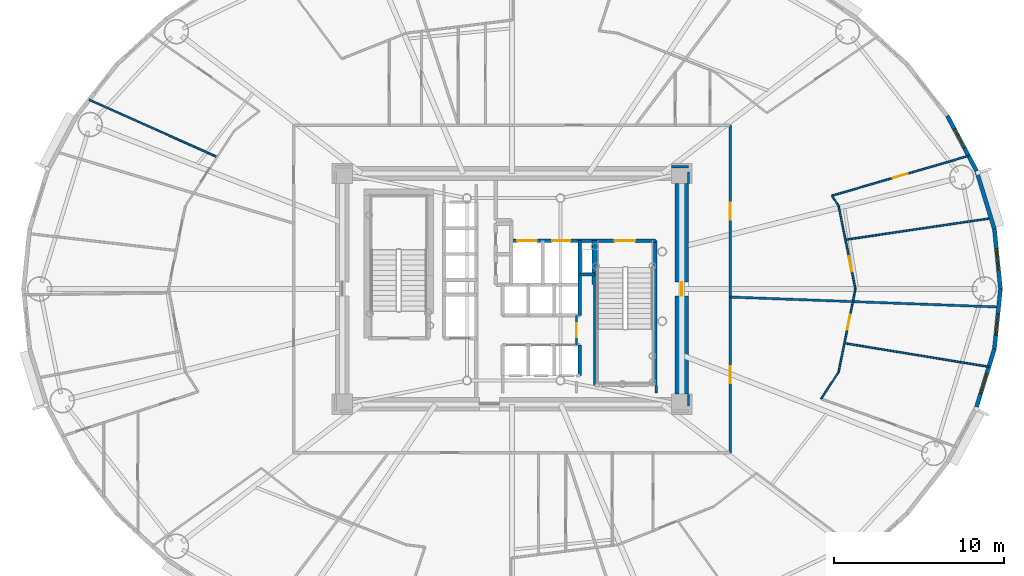
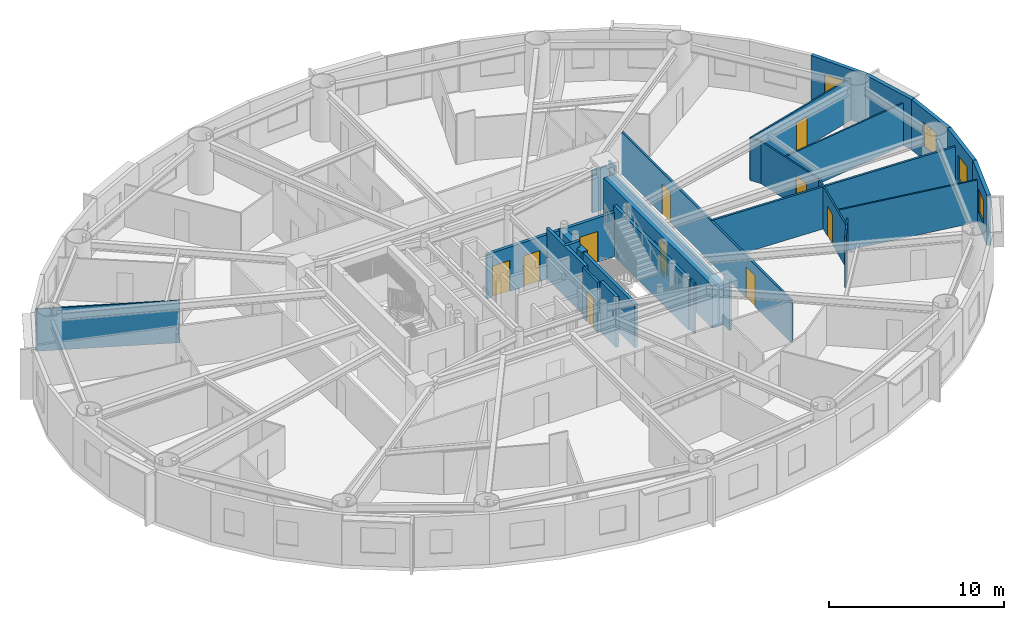
# One storey, part 9 of 16: 28 walls, 10 doors, 4 windows, 14 openings.
"""IFC4 building model written with IfcOpenShell, lengths in metres."""

from ifc_helpers import new_model, si_unit, direction, frame, frame_2d, origin, origin_2d, place, context, subcontext, project, spatial, rectangle, extrude, source, transform, mapped, material, layer, layer_set, type_object, element, fill, save


model = new_model("IFC4")

# Units and contexts
model_context = context("Model", 3, precision=1e-05, world=origin(), true_north=direction((0.0, 1.0)))
body_context = subcontext(model_context, "Body", "Model", "MODEL_VIEW")
ifc_project = project(units=[si_unit("LENGTHUNIT", "METRE"), si_unit("AREAUNIT", "SQUARE_METRE"), si_unit("VOLUMEUNIT", "CUBIC_METRE"), si_unit("PLANEANGLEUNIT", "RADIAN"), si_unit("MASSUNIT", "GRAM", prefix="KILO")], contexts=[model_context])

# Site, building, storey
site_placement = place(None, origin())
site = spatial("IfcSite", under=ifc_project, at=site_placement, CompositionType="ELEMENT")
building_placement = place(site_placement, origin())
building = spatial("IfcBuilding", under=site, at=building_placement, Name="Linh Dai School and Residence Tower", CompositionType="ELEMENT")
storey_placement = place(building_placement, frame((0.0, 0.0, 108.449951171875)))
storey = spatial("IfcBuildingStorey", under=building, at=storey_placement, Name="L25", CompositionType="ELEMENT", Elevation=108.449951171875)

# Wall, opening, window
ifc_material_1 = material(Name="Precast Concrete B45 (C35/45)", Category="concrete")
ifc_layer_1 = layer(ifc_material_1, 0.239990234375)
ifc_layer_set_1 = layer_set([ifc_layer_1], Name="Precast Concrete B45 (C35/45)")
wall_type_1 = type_object("IfcWallType", Name="EW-TC-240", PredefinedType="SOLIDWALL", material=ifc_layer_set_1)
wall_1_placement = place(storey_placement, frame((64.421630859375, 30.515380859375, 0.0), z_axis=(0.0, 0.0, 1.0), x_axis=(0.099989468229, -0.994988495533, 0.0)))
wall_1 = element("IfcWall", 1, at=wall_1_placement, inside=storey, type_object=wall_type_1, Name="L25 Terracotta Exterior Wall 01", PredefinedType="SOLIDWALL", context=body_context, shape_type="SweptSolid", body=[
    extrude(rectangle(XDim=3.533203125, YDim=0.239990234375, at=frame_2d((1.7666015625, 0.0))), origin(), (0.0, 0.0, 1.0), 3.5),
])
opening_1_placement = place(wall_1_placement, frame((1.1416015625, 0.0, 0.89990234375)))
opening_1 = element("IfcOpeningElement", 2, at=opening_1_placement, cuts=wall_1, Name="Opening W3", PredefinedType="OPENING", context=body_context, shape_type="SweptSolid", body=[
    extrude(rectangle(XDim=1.25, YDim=1.64990234375, at=origin_2d()), frame((0.625, 0.1298828125, 0.824951171875), z_axis=(0.0, -1.0, 0.0), x_axis=(1.0, 0.0, 0.0)), (0.0, 0.0, 1.0), 0.260009765625),
])
ifc_material_2 = material(Name="Double Low-E Insulated Glazing", Category="glass")
window_type = type_object("IfcWindowType", Name="WN-RES-1250x1650", PartitioningType="SINGLE_PANEL", PredefinedType="WINDOW", material=ifc_material_2)
shared_shape_1 = source(origin(), body_context, "Body", "SweptSolid", [
    extrude(rectangle(XDim=1.25, YDim=1.64990234375, at=origin_2d()), frame((0.625, 0.030029296875, 0.824951171875), z_axis=(0.0, -1.0, 0.0), x_axis=(1.0, 0.0, 0.0)), (0.0, 0.0, 1.0), 0.06005859375),
])
window_1_placement = place(opening_1_placement, origin())
window_1 = element("IfcWindow", 3, at=window_1_placement, inside=storey, type_object=window_type, Name="L25 Dwelling Window U2506-BD1", OverallHeight=1.64990234375, OverallWidth=1.25, PartitioningType="SINGLE_PANEL", PredefinedType="WINDOW", context=body_context, shape_type="MappedRepresentation", body=[
    mapped(shared_shape_1, transform((0.0, 0.0, 0.0), x_axis=(1.0, 0.0, 0.0), y_axis=(0.0, 1.0, 0.0), z_axis=(0.0, 0.0, 1.0), scale=1.0)),
])
fill(opening_1, window_1)

# Wall
wall_2_placement = place(storey_placement, frame((63.3701171875, 33.945068359375, 0.0), z_axis=(0.0, 0.0, 1.0), x_axis=(0.293124431344, -0.956074300329, 0.0)))
element("IfcWall", 4, at=wall_2_placement, inside=storey, type_object=wall_type_1, Name="L25 Terracotta Exterior Wall 02", PredefinedType="SOLIDWALL", context=body_context, shape_type="SweptSolid", body=[
    extrude(rectangle(XDim=3.587158203125, YDim=0.239990234375, at=frame_2d((1.79345703125, 0.0))), origin(), (0.0, 0.0, 1.0), 3.5),
])

# Wall, opening, window
wall_3_placement = place(storey_placement, frame((61.645263671875, 37.20556640625, 0.0), z_axis=(0.0, 0.0, 1.0), x_axis=(0.467614004126, -0.883932770716, 0.0)))
wall_3 = element("IfcWall", 5, at=wall_3_placement, inside=storey, type_object=wall_type_1, Name="L25 Terracotta Exterior Wall 03", PredefinedType="SOLIDWALL", context=body_context, shape_type="SweptSolid", body=[
    extrude(rectangle(XDim=3.688720703125, YDim=0.239990234375, at=frame_2d((1.84423828125, 0.0))), origin(), (0.0, 0.0, 1.0), 3.5),
])
opening_2_placement = place(wall_3_placement, frame((0.89599609375, 0.0, 0.89990234375)))
opening_2 = element("IfcOpeningElement", 6, at=opening_2_placement, cuts=wall_3, Name="Opening W3", PredefinedType="OPENING", context=body_context, shape_type="SweptSolid", body=[
    extrude(rectangle(XDim=1.25, YDim=1.64990234375, at=origin_2d()), frame((0.625, 0.1298828125, 0.824951171875), z_axis=(0.0, -1.0, 0.0), x_axis=(1.0, 0.0, 0.0)), (0.0, 0.0, 1.0), 0.260009765625),
])
window_2_placement = place(opening_2_placement, origin())
window_2 = element("IfcWindow", 7, at=window_2_placement, inside=storey, type_object=window_type, Name="L25 Exterior Window 03.1", OverallHeight=1.64990234375, OverallWidth=1.25, PartitioningType="SINGLE_PANEL", PredefinedType="WINDOW", context=body_context, shape_type="MappedRepresentation", body=[
    mapped(shared_shape_1, transform((0.0, 0.0, 0.0), x_axis=(1.0, 0.0, 0.0), y_axis=(0.0, 1.0, 0.0), z_axis=(0.0, 0.0, 1.0), scale=1.0)),
])
fill(opening_2, window_2)

wall_4_placement = place(storey_placement, frame((64.421630859375, 23.484619140625, 0.0), z_axis=(0.0, 0.0, 1.0), x_axis=(-0.293124431344, -0.956074300329, 0.0)))
wall_4 = element("IfcWall", 8, at=wall_4_placement, inside=storey, type_object=wall_type_1, Name="L25 Terracotta Exterior Wall 39", PredefinedType="SOLIDWALL", context=body_context, shape_type="SweptSolid", body=[
    extrude(rectangle(XDim=3.587158203125, YDim=0.239990234375, at=frame_2d((1.79345703125, 0.0))), origin(), (0.0, 0.0, 1.0), 3.5),
])
opening_3_placement = place(wall_4_placement, frame((1.54052734375, 0.0, 0.89990234375)))
opening_3 = element("IfcOpeningElement", 9, at=opening_3_placement, cuts=wall_4, Name="Opening W3", PredefinedType="OPENING", context=body_context, shape_type="SweptSolid", body=[
    extrude(rectangle(XDim=1.25, YDim=1.64990234375, at=origin_2d()), frame((0.625, 0.1298828125, 0.824951171875), z_axis=(0.0, -1.0, 0.0), x_axis=(1.0, 0.0, 0.0)), (0.0, 0.0, 1.0), 0.260009765625),
])
window_3_placement = place(opening_3_placement, origin())
window_3 = element("IfcWindow", 10, at=window_3_placement, inside=storey, type_object=window_type, Name="L25 Exterior Window 39.1", OverallHeight=1.64990234375, OverallWidth=1.25, PartitioningType="SINGLE_PANEL", PredefinedType="WINDOW", context=body_context, shape_type="MappedRepresentation", body=[
    mapped(shared_shape_1, transform((0.0, 0.0, 0.0), x_axis=(1.0, 0.0, 0.0), y_axis=(0.0, 1.0, 0.0), z_axis=(0.0, 0.0, 1.0), scale=1.0)),
])
fill(opening_3, window_3)

wall_5_placement = place(storey_placement, frame((64.77490234375, 27.0, 0.0), z_axis=(0.0, 0.0, 1.0), x_axis=(-0.099989468229, -0.994988495533, 0.0)))
wall_5 = element("IfcWall", 11, at=wall_5_placement, inside=storey, type_object=wall_type_1, Name="L25 Terracotta Exterior Wall 40", PredefinedType="SOLIDWALL", context=body_context, shape_type="SweptSolid", body=[
    extrude(rectangle(XDim=3.533203125, YDim=0.239990234375, at=frame_2d((1.7666015625, 0.0))), origin(), (0.0, 0.0, 1.0), 3.5),
])
opening_4_placement = place(wall_5_placement, frame((1.48388671875, 0.0, 0.89990234375)))
opening_4 = element("IfcOpeningElement", 12, at=opening_4_placement, cuts=wall_5, Name="Opening W3", PredefinedType="OPENING", context=body_context, shape_type="SweptSolid", body=[
    extrude(rectangle(XDim=1.25, YDim=1.64990234375, at=origin_2d()), frame((0.625, 0.1298828125, 0.824951171875), z_axis=(0.0, -1.0, 0.0), x_axis=(1.0, 0.0, 0.0)), (0.0, 0.0, 1.0), 0.260009765625),
])
window_4_placement = place(opening_4_placement, origin())
window_4 = element("IfcWindow", 13, at=window_4_placement, inside=storey, type_object=window_type, Name="L25 Exterior Window 40.1", OverallHeight=1.64990234375, OverallWidth=1.25, PartitioningType="SINGLE_PANEL", PredefinedType="WINDOW", context=body_context, shape_type="MappedRepresentation", body=[
    mapped(shared_shape_1, transform((0.0, 0.0, 0.0), x_axis=(1.0, 0.0, 0.0), y_axis=(0.0, 1.0, 0.0), z_axis=(0.0, 0.0, 1.0), scale=1.0)),
])
fill(opening_4, window_4)

# Wall, opening, door
ifc_material_3 = material(Name="Autoclaved Aerated Concrete Blockwork", Category="masonry")
ifc_layer_2 = layer(ifc_material_3, 0.135009765625)
ifc_layer_set_2 = layer_set([ifc_layer_2], Name="Autoclaved Aerated Concrete Blockwork")
wall_type_2 = type_object("IfcWallType", Name="IW-CORR-135-EI90", PredefinedType="PARTITIONING", material=ifc_layer_set_2)
wall_6_placement = place(storey_placement, frame((39.800048828125, 23.699951171875, 0.0), z_axis=(0.0, 0.0, 1.0), x_axis=(0.0, 1.0, 0.0)))
wall_6 = element("IfcWall", 14, at=wall_6_placement, inside=storey, type_object=wall_type_2, Name="L25 Interior Partition Wall 068", PredefinedType="PARTITIONING", context=body_context, shape_type="SweptSolid", body=[
    extrude(rectangle(XDim=1.75, YDim=0.135009765625, at=frame_2d((0.875, 0.0))), origin(), (0.0, 0.0, 1.0), 3.5),
])
opening_5_placement = place(wall_6_placement, frame((0.465087890625, 0.0, 0.0)))
opening_5 = element("IfcOpeningElement", 15, at=opening_5_placement, cuts=wall_6, Name="Opening D06", PredefinedType="OPENING", context=body_context, shape_type="SweptSolid", body=[
    extrude(rectangle(XDim=0.820068359375, YDim=2.10009765625, at=origin_2d()), frame((0.41015625, 0.07763671875, 1.050048828125), z_axis=(0.0, -1.0, 0.0), x_axis=(1.0, 0.0, 0.0)), (0.0, 0.0, 1.0), 0.155029296875),
])
ifc_material_4 = material(Name="Moisture-Resistant Timber Bathroom Door", Category="wood")
door_type_1 = type_object("IfcDoorType", Name="DR-WET-820x2100", OperationType="NOTDEFINED", PredefinedType="DOOR", material=ifc_material_4)
shared_shape_2 = source(origin(), body_context, "Body", "SweptSolid", [
    extrude(rectangle(XDim=0.820068359375, YDim=2.10009765625, at=origin_2d()), frame((0.41015625, 0.02490234375, 1.050048828125), z_axis=(0.0, -1.0, 0.0), x_axis=(1.0, 0.0, 0.0)), (0.0, 0.0, 1.0), 0.050048828125),
])
door_1_placement = place(opening_5_placement, origin())
door_1 = element("IfcDoor", 16, at=door_1_placement, inside=storey, type_object=door_type_1, Name="L25 Core Housekeeping Store Door", OperationType="SINGLE_SWING_RIGHT", OverallHeight=2.10009765625, OverallWidth=0.820068359375, PredefinedType="DOOR", context=body_context, shape_type="MappedRepresentation", body=[
    mapped(shared_shape_2, transform((0.0, 0.0, 0.0), x_axis=(1.0, 0.0, 0.0), y_axis=(0.0, 1.0, 0.0), z_axis=(0.0, 0.0, 1.0), scale=1.0)),
])
fill(opening_5, door_1)

# Wall, openings, doors
wall_7_placement = place(storey_placement, frame((48.85009765625, 17.35009765625, 0.0), z_axis=(0.0, 0.0, 1.0), x_axis=(0.0, 1.0, 0.0)))
wall_7 = element("IfcWall", 17, at=wall_7_placement, inside=storey, type_object=wall_type_2, Name="L25 Interior Partition Wall 087", PredefinedType="PARTITIONING", context=body_context, shape_type="SweptSolid", body=[
    extrude(rectangle(XDim=19.2998046875, YDim=0.135009765625, at=frame_2d((9.64990234375, 0.0))), origin(), (0.0, 0.0, 1.0), 2.93505859375),
])
opening_6_placement = place(wall_7_placement, frame((4.106689453125, 0.0, 0.0)))
opening_6 = element("IfcOpeningElement", 18, at=opening_6_placement, cuts=wall_7, Name="Opening D03", PredefinedType="OPENING", context=body_context, shape_type="SweptSolid", body=[
    extrude(rectangle(XDim=1.0, YDim=2.14990234375, at=origin_2d()), frame((0.5, 0.07763671875, 1.074951171875), z_axis=(0.0, -1.0, 0.0), x_axis=(1.0, 0.0, 0.0)), (0.0, 0.0, 1.0), 0.155029296875),
])
opening_7_placement = place(wall_7_placement, frame((13.716552734375, 0.0, 0.0)))
opening_7 = element("IfcOpeningElement", 19, at=opening_7_placement, cuts=wall_7, Name="Opening D03", PredefinedType="OPENING", context=body_context, shape_type="SweptSolid", body=[
    extrude(rectangle(XDim=1.0, YDim=2.14990234375, at=origin_2d()), frame((0.5, 0.07763671875, 1.074951171875), z_axis=(0.0, -1.0, 0.0), x_axis=(1.0, 0.0, 0.0)), (0.0, 0.0, 1.0), 0.155029296875),
])
ifc_material_5 = material(Name="Fire-Rated Solid Timber Entrance Door", Category="wood")
door_type_2 = type_object("IfcDoorType", Name="DR-FLAT-1000x2150-FD60S", OperationType="NOTDEFINED", PredefinedType="DOOR", material=ifc_material_5)
shared_shape_3 = source(origin(), body_context, "Body", "SweptSolid", [
    extrude(rectangle(XDim=1.0, YDim=2.14990234375, at=origin_2d()), frame((0.5, 0.02490234375, 1.074951171875), z_axis=(0.0, -1.0, 0.0), x_axis=(1.0, 0.0, 0.0)), (0.0, 0.0, 1.0), 0.050048828125),
])
door_2_placement = place(opening_6_placement, origin())
door_2 = element("IfcDoor", 20, at=door_2_placement, inside=storey, type_object=door_type_2, Name="L25 U2505 Apartment Entrance Door", OperationType="SINGLE_SWING_LEFT", OverallHeight=2.14990234375, OverallWidth=1.0, PredefinedType="DOOR", context=body_context, shape_type="MappedRepresentation", body=[
    mapped(shared_shape_3, transform((0.0, 0.0, 0.0), x_axis=(1.0, 0.0, 0.0), y_axis=(0.0, 1.0, 0.0), z_axis=(0.0, 0.0, 1.0), scale=1.0)),
])
fill(opening_6, door_2)
door_3_placement = place(opening_7_placement, origin())
door_3 = element("IfcDoor", 21, at=door_3_placement, inside=storey, type_object=door_type_2, Name="L25 U2506 Apartment Entrance Door", OperationType="SINGLE_SWING_RIGHT", OverallHeight=2.14990234375, OverallWidth=1.0, PredefinedType="DOOR", context=body_context, shape_type="MappedRepresentation", body=[
    mapped(shared_shape_3, transform((0.0, 0.0, 0.0), x_axis=(1.0, 0.0, 0.0), y_axis=(0.0, 1.0, 0.0), z_axis=(0.0, 0.0, 1.0), scale=1.0)),
])
fill(opening_7, door_3)

# Walls
wall_8_placement = place(storey_placement, frame((48.85009765625, 26.523193359375, 0.0), z_axis=(0.0, 0.0, 1.0), x_axis=(0.999312212169, -0.03708237599, 0.0)))
element("IfcWall", 22, at=wall_8_placement, inside=storey, type_object=wall_type_2, Name="L25 Interior Partition Wall 088", PredefinedType="PARTITIONING", context=body_context, shape_type="SweptSolid", body=[
    extrude(rectangle(XDim=15.833984375, YDim=0.135009765625, at=frame_2d((7.9169921875, 0.0))), origin(), (0.0, 0.0, 1.0), 2.93505859375),
])
wall_9_placement = place(storey_placement, frame((44.5, 20.860107421875, 0.0), z_axis=(0.0, 0.0, 1.0), x_axis=(0.0, 1.0, 0.0)))
element("IfcWall", 23, at=wall_9_placement, inside=storey, type_object=wall_type_2, Name="L25 Interior Partition Wall 106", PredefinedType="PARTITIONING", context=body_context, shape_type="SweptSolid", body=[
    extrude(rectangle(XDim=0.4599609375, YDim=0.135009765625, at=frame_2d((0.22998046875, 0.0))), origin(), (0.0, 0.0, 1.0), 3.5),
])
wall_10_placement = place(storey_placement, frame((46.39990234375, 34.199951171875, 0.0), z_axis=(0.0, 0.0, 1.0), x_axis=(-1.0, 0.0, 0.0)))
element("IfcWall", 24, at=wall_10_placement, inside=storey, type_object=wall_type_2, Name="L25 Interior Partition Wall 111", PredefinedType="PARTITIONING", context=body_context, shape_type="SweptSolid", body=[
    extrude(rectangle(XDim=0.989990234375, YDim=0.135009765625, at=frame_2d((0.4951171875, 0.0))), origin(), (0.0, 0.0, 1.0), 2.93505859375),
])
for number, where, z_axis, x_axis, name in (
    (25, (46.39990234375, 20.107421875, 0.0), (0.0, 0.0, 1.0), (0.0, 1.0, 0.0), "L25 Interior Partition Wall 117"),
    (26, (46.39990234375, 33.2099609375, 0.0), (0.0, 0.0, 1.0), (0.0, 1.0, 0.0), "L25 Interior Partition Wall 118"),
):
    element("IfcWall", number, at=place(storey_placement, frame(where, z_axis=z_axis, x_axis=x_axis)), inside=storey, type_object=wall_type_2, Name=name, PredefinedType="PARTITIONING", context=body_context, shape_type="SweptSolid", body=[
        extrude(rectangle(XDim=0.6826171875, YDim=0.135009765625, at=frame_2d((0.34130859375, 0.0))), origin(), (0.0, 0.0, 1.0), 3.5),
    ])

# Wall, openings, doors
ifc_material_6 = material(Name="Concrete B45 (C35/45)", Category="concrete")
ifc_layer_3 = layer(ifc_material_6, 0.199951171875)
ifc_layer_set_3 = layer_set([ifc_layer_3], Name="Concrete B45 (C35/45)")
wall_type_3 = type_object("IfcWallType", Name="IW-SHAFT-200-EI120", PredefinedType="PARTITIONING", material=ifc_layer_set_3)
wall_11_placement = place(storey_placement, frame((35.949951171875, 29.85009765625, 0.0), z_axis=(0.0, 0.0, 1.0), x_axis=(1.0, 0.0, 0.0)))
wall_11 = element("IfcWall", 27, at=wall_11_placement, inside=storey, type_object=wall_type_3, Name="L25 Interior Partition Wall 054", PredefinedType="PARTITIONING", context=body_context, shape_type="SweptSolid", body=[
    extrude(rectangle(XDim=8.489990234375, YDim=0.199951171875, at=frame_2d((4.2451171875, 0.0))), origin(), (0.0, 0.0, 1.0), 3.0849609375),
])
opening_8_placement = place(wall_11_placement, frame((6.10009765625, 0.0, 0.0)))
opening_8 = element("IfcOpeningElement", 28, at=opening_8_placement, cuts=wall_11, Name="Opening D01", PredefinedType="OPENING", context=body_context, shape_type="SweptSolid", body=[
    extrude(rectangle(XDim=1.199951171875, YDim=2.14990234375, at=origin_2d()), frame((0.60009765625, 0.10986328125, 1.074951171875), z_axis=(0.0, -1.0, 0.0), x_axis=(1.0, 0.0, 0.0)), (0.0, 0.0, 1.0), 0.219970703125),
])
opening_9_placement = place(wall_11_placement, frame((0.3701171875, 0.0, 0.0)))
opening_9 = element("IfcOpeningElement", 29, at=opening_9_placement, cuts=wall_11, Name="Opening LD-FF1", PredefinedType="OPENING", context=body_context, shape_type="SweptSolid", body=[
    extrude(rectangle(XDim=1.14990234375, YDim=2.14990234375, at=origin_2d()), frame((0.574951171875, 0.10986328125, 1.074951171875), z_axis=(0.0, -1.0, 0.0), x_axis=(1.0, 0.0, 0.0)), (0.0, 0.0, 1.0), 0.219970703125),
])
opening_10_placement = place(wall_11_placement, frame((2.425048828125, 0.0, 0.0)))
opening_10 = element("IfcOpeningElement", 30, at=opening_10_placement, cuts=wall_11, Name="Opening LD-SV1", PredefinedType="OPENING", context=body_context, shape_type="SweptSolid", body=[
    extrude(rectangle(XDim=1.050048828125, YDim=2.14990234375, at=origin_2d()), frame((0.52490234375, 0.10986328125, 1.074951171875), z_axis=(0.0, -1.0, 0.0), x_axis=(1.0, 0.0, 0.0)), (0.0, 0.0, 1.0), 0.219970703125),
])
ifc_material_7 = material(Name="Fire-Rated Steel Door Leaf", Category="steel")
door_type_3 = type_object("IfcDoorType", Name="DR-STAIR-1200x2150-FD90S", OperationType="NOTDEFINED", PredefinedType="DOOR", material=ifc_material_7)
shared_shape_4 = source(origin(), body_context, "Body", "SweptSolid", [
    extrude(rectangle(XDim=1.199951171875, YDim=2.14990234375, at=origin_2d()), frame((0.60009765625, 0.02490234375, 1.074951171875), z_axis=(0.0, -1.0, 0.0), x_axis=(1.0, 0.0, 0.0)), (0.0, 0.0, 1.0), 0.050048828125),
])
door_4_placement = place(opening_8_placement, origin())
door_4 = element("IfcDoor", 31, at=door_4_placement, inside=storey, type_object=door_type_3, Name="L25 Core Smokeproof Exit Stair ST2 Door", OperationType="SINGLE_SWING_RIGHT", OverallHeight=2.14990234375, OverallWidth=1.199951171875, PredefinedType="DOOR", context=body_context, shape_type="MappedRepresentation", body=[
    mapped(shared_shape_4, transform((0.0, 0.0, 0.0), x_axis=(1.0, 0.0, 0.0), y_axis=(0.0, 1.0, 0.0), z_axis=(0.0, 0.0, 1.0), scale=1.0)),
])
fill(opening_8, door_4)
ifc_material_8 = material(Name="Fire-Rated Stainless Steel Firefighting Lift Door", Category="steel")
door_type_4 = type_object("IfcDoorType", Name="DR-LD-FF-1150x2150-FD120", OperationType="DOUBLE_DOOR_SLIDING", PredefinedType="USERDEFINED", material=ifc_material_8)
shared_shape_5 = source(origin(), body_context, "Body", "SweptSolid", [
    extrude(rectangle(XDim=1.14990234375, YDim=2.14990234375, at=origin_2d()), frame((0.574951171875, 0.02490234375, 1.074951171875), z_axis=(0.0, -1.0, 0.0), x_axis=(1.0, 0.0, 0.0)), (0.0, 0.0, 1.0), 0.050048828125),
])
door_5_placement = place(opening_9_placement, origin())
door_5 = element("IfcDoor", 32, at=door_5_placement, inside=storey, type_object=door_type_4, Name="L25 Lift FF1 Sliding Landing Door", ObjectType="LANDING DOOR", OperationType="DOUBLE_DOOR_SLIDING", OverallHeight=2.14990234375, OverallWidth=1.14990234375, PredefinedType="USERDEFINED", context=body_context, shape_type="MappedRepresentation", body=[
    mapped(shared_shape_5, transform((0.0, 0.0, 0.0), x_axis=(1.0, 0.0, 0.0), y_axis=(0.0, 1.0, 0.0), z_axis=(0.0, 0.0, 1.0), scale=1.0)),
])
fill(opening_9, door_5)
ifc_material_9 = material(Name="Brushed Stainless Steel Lift Landing Door", Category="steel")
door_type_5 = type_object("IfcDoorType", Name="DR-LD-PASS-1050x2150", OperationType="DOUBLE_DOOR_SLIDING", PredefinedType="USERDEFINED", material=ifc_material_9)
shared_shape_6 = source(origin(), body_context, "Body", "SweptSolid", [
    extrude(rectangle(XDim=1.050048828125, YDim=2.14990234375, at=origin_2d()), frame((0.52490234375, 0.02490234375, 1.074951171875), z_axis=(0.0, -1.0, 0.0), x_axis=(1.0, 0.0, 0.0)), (0.0, 0.0, 1.0), 0.050048828125),
])
door_6_placement = place(opening_10_placement, origin())
door_6 = element("IfcDoor", 33, at=door_6_placement, inside=storey, type_object=door_type_5, Name="L25 Lift SV1 Sliding Landing Door", ObjectType="LANDING DOOR", OperationType="DOUBLE_DOOR_SLIDING", OverallHeight=2.14990234375, OverallWidth=1.050048828125, PredefinedType="USERDEFINED", context=body_context, shape_type="MappedRepresentation", body=[
    mapped(shared_shape_6, transform((0.0, 0.0, 0.0), x_axis=(1.0, 0.0, 0.0), y_axis=(0.0, 1.0, 0.0), z_axis=(0.0, 0.0, 1.0), scale=1.0)),
])
fill(opening_10, door_6)

# Walls
wall_12_placement = place(storey_placement, frame((40.0, 21.89990234375, 0.0), z_axis=(0.0, 0.0, 1.0), x_axis=(0.0, 1.0, 0.0)))
element("IfcWall", 34, at=wall_12_placement, inside=storey, type_object=wall_type_3, Name="L25 Interior Partition Wall 069", PredefinedType="PARTITIONING", context=body_context, shape_type="SweptSolid", body=[
    extrude(rectangle(XDim=1.800048828125, YDim=0.199951171875, at=frame_2d((0.89990234375, 0.0))), origin(), (0.0, 0.0, 1.0), 3.5),
])
wall_13_placement = place(storey_placement, frame((40.0, 25.449951171875, 0.0), z_axis=(0.0, 0.0, 1.0), x_axis=(0.0, 1.0, 0.0)))
element("IfcWall", 35, at=wall_13_placement, inside=storey, type_object=wall_type_3, Name="L25 Interior Partition Wall 070", PredefinedType="PARTITIONING", context=body_context, shape_type="SweptSolid", body=[
    extrude(rectangle(XDim=4.400146484375, YDim=0.199951171875, at=frame_2d((2.2001953125, 0.0))), origin(), (0.0, 0.0, 1.0), 3.5),
])
wall_14_placement = place(storey_placement, frame((40.0, 27.85009765625, 0.0), z_axis=(0.0, 0.0, 1.0), x_axis=(1.0, 0.0, 0.0)))
element("IfcWall", 36, at=wall_14_placement, inside=storey, type_object=wall_type_3, Name="L25 Interior Partition Wall 071", PredefinedType="PARTITIONING", context=body_context, shape_type="SweptSolid", body=[
    extrude(rectangle(XDim=0.89990234375, YDim=0.199951171875, at=frame_2d((0.449951171875, 0.0))), origin(), (0.0, 0.0, 1.0), 3.5),
])
wall_15_placement = place(storey_placement, frame((40.89990234375, 21.330078125, 0.0), z_axis=(0.0, 0.0, 1.0), x_axis=(0.0, 1.0, 0.0)))
element("IfcWall", 37, at=wall_15_placement, inside=storey, type_object=wall_type_3, Name="L25 Interior Partition Wall 072", PredefinedType="PARTITIONING", context=body_context, shape_type="SweptSolid", body=[
    extrude(rectangle(XDim=5.909912109375, YDim=0.199951171875, at=frame_2d((2.955078125, 0.0))), origin(), (0.0, 0.0, 1.0), 3.03515625),
])
wall_16_placement = place(storey_placement, frame((44.43994140625, 21.330078125, 0.0), z_axis=(0.0, 0.0, 1.0), x_axis=(0.0, 1.0, 0.0)))
element("IfcWall", 38, at=wall_16_placement, inside=storey, type_object=wall_type_3, Name="L25 Interior Partition Wall 081", PredefinedType="PARTITIONING", context=body_context, shape_type="SweptSolid", body=[
    extrude(rectangle(XDim=8.52001953125, YDim=0.199951171875, at=frame_2d((4.260009765625, 0.0))), origin(), (0.0, 0.0, 1.0), 3.5),
])
ifc_material_10 = material(Name="Gypsum Plasterboard Acoustic Stud Partition", Category="masonry")
ifc_layer_4 = layer(ifc_material_10, 0.10009765625)
ifc_layer_set_4 = layer_set([ifc_layer_4], Name="Gypsum Plasterboard Acoustic Stud Partition")
wall_type_4 = type_object("IfcWallType", Name="IW-UNIT-100", PredefinedType="PARTITIONING", material=ifc_layer_set_4)
wall_17_placement = place(storey_placement, frame((11.087158203125, 38.149658203125, 0.0), z_axis=(0.0, 0.0, 1.0), x_axis=(0.912756243594, -0.408504638627, 0.0)))
element("IfcWall", 39, at=wall_17_placement, inside=storey, type_object=wall_type_4, Name="L25 Interior Partition Wall 006", PredefinedType="PARTITIONING", context=body_context, shape_type="SweptSolid", body=[
    extrude(rectangle(XDim=8.2666015625, YDim=0.10009765625, at=frame_2d((4.13330078125, 0.0))), origin(), (0.0, 0.0, 1.0), 2.93505859375),
])
wall_18_placement = place(storey_placement, frame((54.213623046875, 20.52783203125, 0.0), z_axis=(0.0, 0.0, 1.0), x_axis=(0.545444312607, 0.838147064568, 0.0)))
element("IfcWall", 40, at=wall_18_placement, inside=storey, type_object=wall_type_4, Name="L25 Interior Partition Wall 091", PredefinedType="PARTITIONING", context=body_context, shape_type="SweptSolid", body=[
    extrude(rectangle(XDim=1.881591796875, YDim=0.10009765625, at=frame_2d((0.94091796875, 0.0))), origin(), (0.0, 0.0, 1.0), 3.5),
])
wall_19_placement = place(storey_placement, frame((54.85009765625, 32.494384765625, 0.0), z_axis=(0.0, 0.0, 1.0), x_axis=(0.545288355623, -0.838248536665, 0.0)))
element("IfcWall", 41, at=wall_19_placement, inside=storey, type_object=wall_type_4, Name="L25 Interior Partition Wall 093", PredefinedType="PARTITIONING", context=body_context, shape_type="SweptSolid", body=[
    extrude(rectangle(XDim=0.715087890625, YDim=0.10009765625, at=frame_2d((0.357421875, 0.0))), origin(), (0.0, 0.0, 1.0), 2.93505859375),
])

# Wall, opening, door
wall_20_placement = place(storey_placement, frame((54.85009765625, 32.494384765625, 0.0), z_axis=(0.0, 0.0, 1.0), x_axis=(0.960056058733, 0.279807727002, 0.0)))
wall_20 = element("IfcWall", 42, at=wall_20_placement, inside=storey, type_object=wall_type_4, Name="L25 Interior Partition Wall 094", PredefinedType="PARTITIONING", context=body_context, shape_type="SweptSolid", body=[
    extrude(rectangle(XDim=8.38671875, YDim=0.10009765625, at=frame_2d((4.193359375, 0.0))), origin(), (0.0, 0.0, 1.0), 2.93505859375),
])
opening_11_placement = place(wall_20_placement, frame((3.743408203125, 0.0, 0.0)))
opening_11 = element("IfcOpeningElement", 43, at=opening_11_placement, cuts=wall_20, Name="Opening D05", PredefinedType="OPENING", context=body_context, shape_type="SweptSolid", body=[
    extrude(rectangle(XDim=0.89990234375, YDim=2.10009765625, at=origin_2d()), frame((0.449951171875, 0.06005859375, 1.050048828125), z_axis=(0.0, -1.0, 0.0), x_axis=(1.0, 0.0, 0.0)), (0.0, 0.0, 1.0), 0.1201171875),
])
ifc_material_11 = material(Name="Engineered Timber Internal Door", Category="wood")
door_type_6 = type_object("IfcDoorType", Name="DR-INT-900x2100", OperationType="NOTDEFINED", PredefinedType="DOOR", material=ifc_material_11)
shared_shape_7 = source(origin(), body_context, "Body", "SweptSolid", [
    extrude(rectangle(XDim=0.89990234375, YDim=2.10009765625, at=origin_2d()), frame((0.449951171875, 0.02490234375, 1.050048828125), z_axis=(0.0, -1.0, 0.0), x_axis=(1.0, 0.0, 0.0)), (0.0, 0.0, 1.0), 0.050048828125),
])
door_7_placement = place(opening_11_placement, origin())
door_7 = element("IfcDoor", 44, at=door_7_placement, inside=storey, type_object=door_type_6, Name="L25 Apartment U2506 Study Door", OperationType="SINGLE_SWING_RIGHT", OverallHeight=2.10009765625, OverallWidth=0.89990234375, PredefinedType="DOOR", context=body_context, shape_type="MappedRepresentation", body=[
    mapped(shared_shape_7, transform((0.0, 0.0, 0.0), x_axis=(1.0, 0.0, 0.0), y_axis=(0.0, 1.0, 0.0), z_axis=(0.0, 0.0, 1.0), scale=1.0)),
])
fill(opening_11, door_7)

wall_21_placement = place(storey_placement, frame((55.239990234375, 22.10498046875, 0.0), z_axis=(0.0, 0.0, 1.0), x_axis=(0.198230919145, 0.980155346205, 0.0)))
wall_21 = element("IfcWall", 45, at=wall_21_placement, inside=storey, type_object=wall_type_4, Name="L25 Interior Partition Wall 095", PredefinedType="PARTITIONING", context=body_context, shape_type="SweptSolid", body=[
    extrude(rectangle(XDim=4.994140625, YDim=0.10009765625, at=frame_2d((2.4970703125, 0.0))), origin(), (0.0, 0.0, 1.0), 2.93505859375),
])
opening_12_placement = place(wall_21_placement, frame((2.53369140625, 0.0, 0.0)))
opening_12 = element("IfcOpeningElement", 46, at=opening_12_placement, cuts=wall_21, Name="Opening D05", PredefinedType="OPENING", context=body_context, shape_type="SweptSolid", body=[
    extrude(rectangle(XDim=0.89990234375, YDim=2.10009765625, at=origin_2d()), frame((0.449951171875, 0.06005859375, 1.050048828125), z_axis=(0.0, -1.0, 0.0), x_axis=(1.0, 0.0, 0.0)), (0.0, 0.0, 1.0), 0.1201171875),
])
door_8_placement = place(opening_12_placement, origin())
door_8 = element("IfcDoor", 47, at=door_8_placement, inside=storey, type_object=door_type_6, Name="L25 Apartment U2505 Study Door", OperationType="SINGLE_SWING_LEFT", OverallHeight=2.10009765625, OverallWidth=0.89990234375, PredefinedType="DOOR", context=body_context, shape_type="MappedRepresentation", body=[
    mapped(shared_shape_7, transform((0.0, 0.0, 0.0), x_axis=(1.0, 0.0, 0.0), y_axis=(0.0, 1.0, 0.0), z_axis=(0.0, 0.0, 1.0), scale=1.0)),
])
fill(opening_12, door_8)

wall_22_placement = place(storey_placement, frame((55.239990234375, 31.89501953125, 0.0), z_axis=(0.0, 0.0, 1.0), x_axis=(0.19822142127, -0.980157267049, 0.0)))
wall_22 = element("IfcWall", 48, at=wall_22_placement, inside=storey, type_object=wall_type_4, Name="L25 Interior Partition Wall 096", PredefinedType="PARTITIONING", context=body_context, shape_type="SweptSolid", body=[
    extrude(rectangle(XDim=4.994384765625, YDim=0.10009765625, at=frame_2d((2.4970703125, 0.0))), origin(), (0.0, 0.0, 1.0), 2.93505859375),
])
opening_13_placement = place(wall_22_placement, frame((3.045166015625, 0.0, 0.0)))
opening_13 = element("IfcOpeningElement", 49, at=opening_13_placement, cuts=wall_22, Name="Opening D05", PredefinedType="OPENING", context=body_context, shape_type="SweptSolid", body=[
    extrude(rectangle(XDim=0.89990234375, YDim=2.10009765625, at=origin_2d()), frame((0.449951171875, 0.06005859375, 1.050048828125), z_axis=(0.0, -1.0, 0.0), x_axis=(1.0, 0.0, 0.0)), (0.0, 0.0, 1.0), 0.1201171875),
])
door_9_placement = place(opening_13_placement, origin())
door_9 = element("IfcDoor", 50, at=door_9_placement, inside=storey, type_object=door_type_6, Name="L25 Apartment U2506 Principal Bedroom 1 Door", OperationType="SINGLE_SWING_LEFT", OverallHeight=2.10009765625, OverallWidth=0.89990234375, PredefinedType="DOOR", context=body_context, shape_type="MappedRepresentation", body=[
    mapped(shared_shape_7, transform((0.0, 0.0, 0.0), x_axis=(1.0, 0.0, 0.0), y_axis=(0.0, 1.0, 0.0), z_axis=(0.0, 0.0, 1.0), scale=1.0)),
])
fill(opening_13, door_9)

# Walls
wall_23_placement = place(storey_placement, frame((55.58349609375, 23.803955078125, 0.0), z_axis=(0.0, 0.0, 1.0), x_axis=(0.986943531615, -0.161066648946, 0.0)))
element("IfcWall", 51, at=wall_23_placement, inside=storey, type_object=wall_type_4, Name="L25 Interior Partition Wall 097", PredefinedType="PARTITIONING", context=body_context, shape_type="SweptSolid", body=[
    extrude(rectangle(XDim=8.627685546875, YDim=0.10009765625, at=frame_2d((4.31396484375, 0.0))), origin(), (0.0, 0.0, 1.0), 2.93505859375),
])
wall_24_placement = place(storey_placement, frame((55.6435546875, 29.89990234375, 0.0), z_axis=(0.0, 0.0, 1.0), x_axis=(0.989279170557, 0.146036716969, 0.0)))
element("IfcWall", 52, at=wall_24_placement, inside=storey, type_object=wall_type_4, Name="L25 Interior Partition Wall 098", PredefinedType="PARTITIONING", context=body_context, shape_type="SweptSolid", body=[
    extrude(rectangle(XDim=8.676513671875, YDim=0.10009765625, at=frame_2d((4.33837890625, 0.0))), origin(), (0.0, 0.0, 1.0), 2.93505859375),
])
ifc_layer_5 = layer(ifc_material_6, 0.39990234375)
ifc_layer_set_5 = layer_set([ifc_layer_5], Name="Concrete B45 (C35/45)")
wall_type_5 = type_object("IfcWallType", Name="WL-CORE400", PredefinedType="SHEAR", material=ifc_layer_set_5)
wall_25_placement = place(storey_placement, frame((40.89990234375, 27.25, 0.0), z_axis=(0.0, 0.0, 1.0), x_axis=(0.0, 1.0, 0.0)))
element("IfcWall", 53, at=wall_25_placement, inside=storey, type_object=wall_type_5, Name="L25 Internal Core Shear Wall IE", PredefinedType="SHEAR", context=body_context, shape_type="SweptSolid", body=[
    extrude(rectangle(XDim=2.60009765625, YDim=0.39990234375, at=frame_2d((1.300048828125, 0.0))), origin(), (0.0, 0.0, 1.0), 3.10009765625),
])

# Wall, opening, door
ifc_material_12 = material(Name="Concrete B60 (C50/60)", Category="concrete")
ifc_layer_6 = layer(ifc_material_12, 0.800048828125)
ifc_layer_set_6 = layer_set([ifc_layer_6], Name="Concrete B60 (C50/60)")
wall_type_6 = type_object("IfcWallType", Name="WL-CORE800", PredefinedType="SHEAR", material=ifc_layer_set_6)
wall_26_placement = place(storey_placement, frame((46.0, 33.199951171875, 0.0), z_axis=(0.0, 0.0, 1.0), x_axis=(0.0, -1.0, 0.0)))
wall_26 = element("IfcWall", 54, at=wall_26_placement, inside=storey, type_object=wall_type_6, Name="L25 Central Core Shear Wall E", PredefinedType="SHEAR", context=body_context, shape_type="SweptSolid", body=[
    extrude(rectangle(XDim=12.39990234375, YDim=0.800048828125, at=frame_2d((6.199951171875, 0.0))), origin(), (0.0, 0.0, 1.0), 2.949951171875),
])
opening_14_placement = place(wall_26_placement, frame((5.7900390625, 0.0, 0.0)))
opening_14 = element("IfcOpeningElement", 55, at=opening_14_placement, cuts=wall_26, Name="Opening D06", PredefinedType="OPENING", context=body_context, shape_type="SweptSolid", body=[
    extrude(rectangle(XDim=0.820068359375, YDim=2.10009765625, at=origin_2d()), frame((0.41015625, 0.41015625, 1.050048828125), z_axis=(0.0, -1.0, 0.0), x_axis=(1.0, 0.0, 0.0)), (0.0, 0.0, 1.0), 0.820068359375),
])
door_10_placement = place(opening_14_placement, origin())
door_10 = element("IfcDoor", 56, at=door_10_placement, inside=storey, type_object=door_type_1, Name="L25 Firefighting Lobby Door", OperationType="SINGLE_SWING_LEFT", OverallHeight=2.10009765625, OverallWidth=0.820068359375, PredefinedType="DOOR", context=body_context, shape_type="MappedRepresentation", body=[
    mapped(shared_shape_2, transform((0.0, 0.0, 0.0), x_axis=(1.0, 0.0, 0.0), y_axis=(0.0, 1.0, 0.0), z_axis=(0.0, 0.0, 1.0), scale=1.0)),
])
fill(opening_14, door_10)

save(model, "model.ifc")
